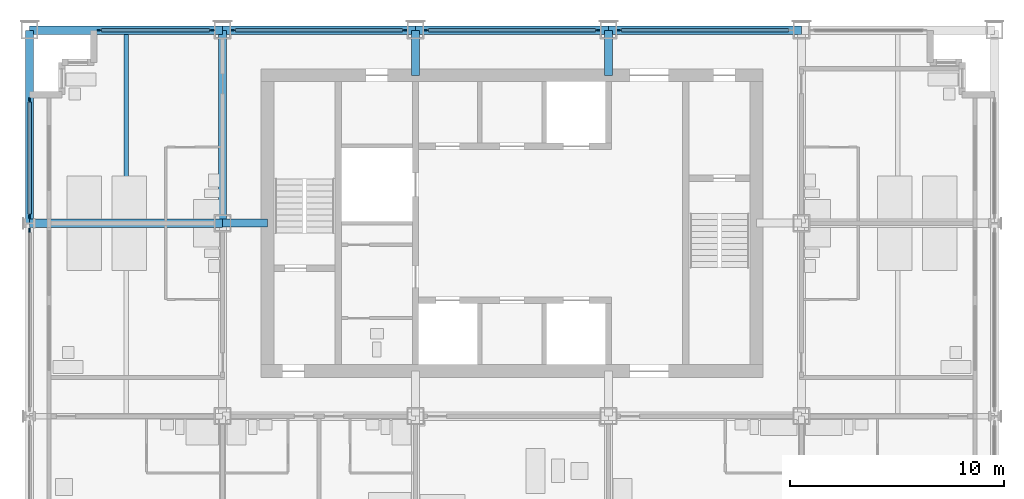
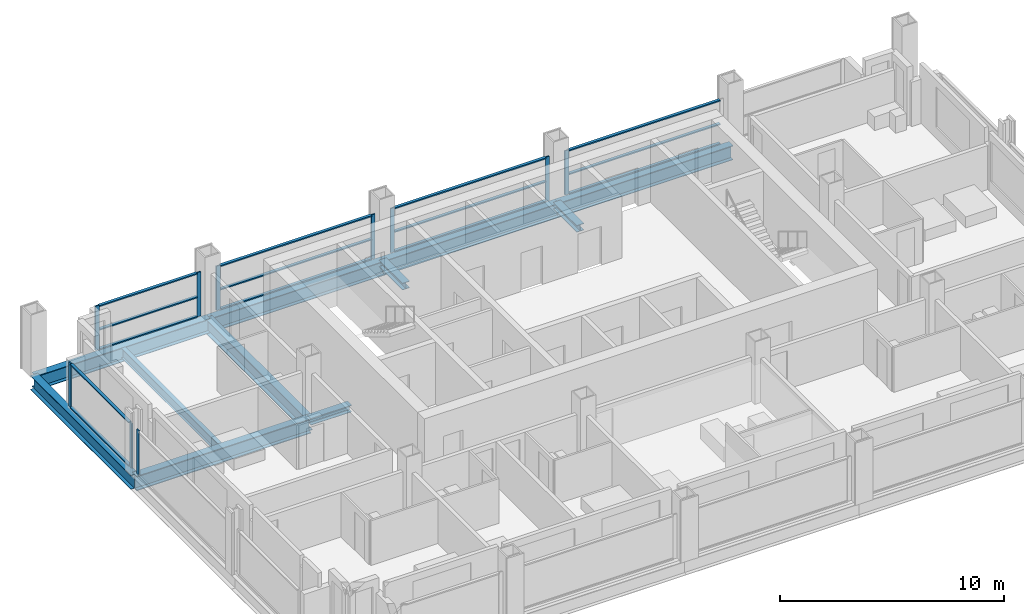
# One storey, part 4 of 13: 27 members, 8 beams, 6 elements without a shape of their own.
"""IFC4 building model written with IfcOpenShell, lengths in metres."""

from ifc_helpers import new_model, si_unit, direction, frame, origin, origin_2d, place, context, subcontext, project, spatial, rectangle, i_section, extrude, material, material_profile, profile_set, type_object, element, aggregate, save


model = new_model("IFC4")

# Units and contexts
model_context = context("Model", 3, precision=1e-05, world=origin(), true_north=direction((0.0, 1.0)))
body_context = subcontext(model_context, "Body", "Model", "MODEL_VIEW")
ifc_project = project(units=[si_unit("LENGTHUNIT", "METRE"), si_unit("AREAUNIT", "SQUARE_METRE"), si_unit("VOLUMEUNIT", "CUBIC_METRE"), si_unit("PLANEANGLEUNIT", "RADIAN"), si_unit("MASSUNIT", "GRAM", prefix="KILO")], contexts=[model_context])

# Site, building, storey
site_placement = place(None, origin())
site = spatial("IfcSite", under=ifc_project, at=site_placement, CompositionType="ELEMENT")
building_placement = place(site_placement, origin())
building = spatial("IfcBuilding", under=site, at=building_placement, Name="Loomwork Tower", CompositionType="ELEMENT")
storey_placement = place(building_placement, frame((0.0, 0.0, 187.60009765625)))
storey = spatial("IfcBuildingStorey", under=building, at=storey_placement, Name="L51", CompositionType="ELEMENT", Elevation=187.60009765625)

# Beams
ifc_material_1 = material(Name="Steel ASTM A992", Category="steel")
ifc_material_profile_1 = material_profile(ifc_material_1, i_section(OverallWidth=0.383544921875, OverallDepth=0.794921875, WebThickness=0.02099609375, FlangeThickness=0.0380859375, at=origin_2d()), Name="W30x235")
ifc_profile_set_1 = profile_set([ifc_material_profile_1], Name="Steel ASTM A992")
beam_type_1 = type_object("IfcBeamType", Name="CORE FLANK GIRDER W30x235", PredefinedType="BEAM", material=ifc_profile_set_1)
for number, where, z_axis, x_axis, name in (
    (1, (0.0, 18.0, -0.59765625), (1.0, 0.0, 0.0), (0.0, 1.0, 0.0), "Core Flank Girder F/2-F/3 L51"),
    (2, (9.0, 18.0, -0.59765625), (0.0, 1.0, 0.0), (-1.0, 0.0, 0.0), "Core Flank Girder F/3-G/3 L51"),
):
    element("IfcBeam", number, at=place(storey_placement, frame(where, z_axis=z_axis, x_axis=x_axis)), inside=storey, type_object=beam_type_1, Name=name, PredefinedType="BEAM", context=body_context, shape_type="SweptSolid", body=[
        extrude(i_section(OverallWidth=0.383544921875, OverallDepth=0.794921875, WebThickness=0.02099609375, FlangeThickness=0.0380859375, at=origin_2d()), origin(), (0.0, 0.0, 1.0), 9.0),
    ])

# Members
ifc_material_2 = material(Name="Steel ASTM A992", Category="steel")
ifc_material_profile_2 = material_profile(ifc_material_2, i_section(OverallWidth=0.373291015625, OverallDepth=0.373291015625, WebThickness=0.016357421875, FlangeThickness=0.026123046875, at=origin_2d()), Name="W14x132")
ifc_profile_set_2 = profile_set([ifc_material_profile_2], Name="Steel ASTM A992")
member_type_1 = type_object("IfcMemberType", Name="CORE LINK STRUT W14x132", PredefinedType="STRUT", material=ifc_profile_set_2)
for number, where, z_axis, x_axis, name in (
    (3, (27.0, 27.0, -0.38671875), (0.0, -1.0, 0.0), (1.0, 0.0, 0.0), "Core link strut G/5-27.000,24.900 L51"),
    (4, (18.0, 27.0, -0.38671875), (0.0, -1.0, 0.0), (1.0, 0.0, 0.0), "Core link strut G/4-18.000,24.900 L51"),
    (5, (9.0, 18.0, -0.38671875), (1.0, 0.0, 0.0), (0.0, 1.0, 0.0), "Core link strut F/3-11.100,18.000 L51"),
):
    element("IfcMember", number, at=place(storey_placement, frame(where, z_axis=z_axis, x_axis=x_axis)), inside=storey, type_object=member_type_1, Name=name, PredefinedType="STRUT", context=body_context, shape_type="SweptSolid", body=[
        extrude(i_section(OverallWidth=0.373291015625, OverallDepth=0.373291015625, WebThickness=0.016357421875, FlangeThickness=0.026123046875, at=origin_2d()), origin(), (0.0, 0.0, 1.0), 2.10009765625),
    ])

# Beam
ifc_material_3 = material(Name="Steel ASTM A992", Category="steel")
ifc_material_profile_3 = material_profile(ifc_material_3, i_section(OverallWidth=0.2109375, OverallDepth=0.53857421875, WebThickness=0.011474609375, FlangeThickness=0.018798828125, at=origin_2d()), Name="W21x73")
ifc_profile_set_3 = profile_set([ifc_material_profile_3], Name="Steel ASTM A992")
beam_type_2 = type_object("IfcBeamType", Name="FLOOR JOIST W21x73", PredefinedType="JOIST", material=ifc_profile_set_3)
beam_placement = place(storey_placement, frame((4.5, 18.19091796875, -0.46923828125), z_axis=(0.0, 1.0, 0.0), x_axis=(-1.0, 0.0, 0.0)))
element("IfcBeam", 6, at=beam_placement, inside=storey, type_object=beam_type_2, Name="Floor Joist 4.500,18.000-4.500,27.000 L51", PredefinedType="JOIST", context=body_context, shape_type="SweptSolid", body=[
    extrude(i_section(OverallWidth=0.2109375, OverallDepth=0.53857421875, WebThickness=0.011474609375, FlangeThickness=0.018798828125, at=origin_2d()), origin(), (0.0, 0.0, 1.0), 8.619140625),
])

# Curtain wall, member
ifc_material_4 = material(Name="Aluminium curtain wall frame", Category="aluminium")
curtain_wall_type_1 = type_object("IfcCurtainWallType", Name="Outer skin glazing hotel", PredefinedType="NOTDEFINED", material=ifc_material_4)
curtain_wall_1_placement = place(storey_placement, origin())
curtain_wall_1 = element("IfcCurtainWall", 7, at=curtain_wall_1_placement, inside=storey, type_object=curtain_wall_type_1, Name="Outer skin glazing hotel cw/W-9", PredefinedType="NOTDEFINED")
ifc_material_5 = material(Name="Aluminium curtain wall frame", Category="aluminium")
ifc_material_profile_4 = material_profile(ifc_material_5, rectangle(XDim=0.06494140625, YDim=0.199951171875, at=origin_2d()), Name="AL 65x200")
ifc_profile_set_4 = profile_set([ifc_material_profile_4], Name="Aluminium curtain wall frame")
member_type_2 = type_object("IfcMemberType", Name="Outer skin glazing hotel mullion", PredefinedType="MULLION", material=ifc_profile_set_4)
member_1_placement = place(storey_placement, frame((0.0, 17.67529296875, 0.0), z_axis=(0.0, 0.0, 1.0), x_axis=(1.0, 0.0, 0.0)))
member_1 = element("IfcMember", 8, at=member_1_placement, type_object=member_type_2, Name="CW1 mullion 1", PredefinedType="MULLION", context=body_context, shape_type="SweptSolid", body=[
    extrude(rectangle(XDim=0.06494140625, YDim=0.199951171875, at=origin_2d()), origin(), (0.0, 0.0, 1.0), 2.420166015625),
])
aggregate(curtain_wall_1, [member_1])

# Curtain wall, members
curtain_wall_2_placement = place(storey_placement, origin())
curtain_wall_2 = element("IfcCurtainWall", 9, at=curtain_wall_2_placement, inside=storey, type_object=curtain_wall_type_1, Name="Outer skin glazing hotel cw/W-18", PredefinedType="NOTDEFINED")
member_2_placement = place(storey_placement, frame((0.0, 23.75, 0.0), z_axis=(0.0, 0.0, 1.0), x_axis=(1.0, 0.0, 0.0)))
member_2 = element("IfcMember", 10, at=member_2_placement, type_object=member_type_2, Name="CW1 mullion 1", PredefinedType="MULLION", context=body_context, shape_type="SweptSolid", body=[
    extrude(rectangle(XDim=0.06494140625, YDim=0.199951171875, at=origin_2d()), origin(), (0.0, 0.0, 1.0), 2.420166015625),
])
member_3_placement = place(storey_placement, frame((0.0, 18.32470703125, 0.0), z_axis=(0.0, 0.0, 1.0), x_axis=(1.0, 0.0, 0.0)))
member_3 = element("IfcMember", 11, at=member_3_placement, type_object=member_type_2, Name="CW1 mullion 2", PredefinedType="MULLION", context=body_context, shape_type="SweptSolid", body=[
    extrude(rectangle(XDim=0.06494140625, YDim=0.199951171875, at=origin_2d()), origin(), (0.0, 0.0, 1.0), 2.420166015625),
])
ifc_material_6 = material(Name="Aluminium curtain wall frame", Category="aluminium")
ifc_material_profile_5 = material_profile(ifc_material_6, rectangle(XDim=0.14990234375, YDim=0.06494140625, at=origin_2d()), Name="AL 65x150")
ifc_profile_set_5 = profile_set([ifc_material_profile_5], Name="Aluminium curtain wall frame")
member_type_3 = type_object("IfcMemberType", Name="Outer skin glazing hotel transom", PredefinedType="USERDEFINED", material=ifc_profile_set_5)
member_4_placement = place(storey_placement, frame((0.0, 23.64990234375, 0.032470703125), z_axis=(0.0, -1.0, 0.0), x_axis=(1.0, 0.0, 0.0)))
member_4 = element("IfcMember", 12, at=member_4_placement, type_object=member_type_3, Name="CW1 transom 1.1", ObjectType="TRANSOM", PredefinedType="USERDEFINED", context=body_context, shape_type="SweptSolid", body=[
    extrude(rectangle(XDim=0.14990234375, YDim=0.06494140625, at=origin_2d()), origin(), (0.0, 0.0, 1.0), 5.22509765625),
])
member_5_placement = place(storey_placement, frame((0.0, 23.64990234375, 2.3876953125), z_axis=(0.0, -1.0, 0.0), x_axis=(1.0, 0.0, 0.0)))
member_5 = element("IfcMember", 13, at=member_5_placement, type_object=member_type_3, Name="CW1 transom 1.2", ObjectType="TRANSOM", PredefinedType="USERDEFINED", context=body_context, shape_type="SweptSolid", body=[
    extrude(rectangle(XDim=0.14990234375, YDim=0.06494140625, at=origin_2d()), origin(), (0.0, 0.0, 1.0), 5.22509765625),
])
aggregate(curtain_wall_2, [member_2, member_3, member_4, member_5])

# Beams
ifc_material_7 = material(Name="Steel ASTM A992", Category="steel")
ifc_material_profile_6 = material_profile(ifc_material_7, i_section(OverallWidth=0.381103515625, OverallDepth=0.77978515625, WebThickness=0.01806640625, FlangeThickness=0.0302734375, at=origin_2d()), Name="W30x191")
ifc_profile_set_6 = profile_set([ifc_material_profile_6], Name="Steel ASTM A992")
beam_type_3 = type_object("IfcBeamType", Name="SPANDREL GIRDER W30x191", PredefinedType="SPANDREL", material=ifc_profile_set_6)
for number, where, z_axis, x_axis, name in (
    (14, (0.0, 27.0, -0.590087890625), (1.0, 0.0, 0.0), (0.0, 1.0, 0.0), "Spandrel Girder G/2-G/3 L51"),
    (15, (9.0, 27.0, -0.590087890625), (1.0, 0.0, 0.0), (0.0, 1.0, 0.0), "Spandrel Girder G/3-G/4 L51"),
    (16, (18.0, 27.0, -0.590087890625), (1.0, 0.0, 0.0), (0.0, 1.0, 0.0), "Spandrel Girder G/4-G/5 L51"),
    (17, (27.0, 27.0, -0.590087890625), (1.0, 0.0, 0.0), (0.0, 1.0, 0.0), "Spandrel Girder G/5-G/6 L51"),
    (18, (0.0, 18.0, -0.590087890625), (0.0, 1.0, 0.0), (-1.0, 0.0, 0.0), "Spandrel Girder F/2-G/2 L51"),
):
    element("IfcBeam", number, at=place(storey_placement, frame(where, z_axis=z_axis, x_axis=x_axis)), inside=storey, type_object=beam_type_3, Name=name, PredefinedType="SPANDREL", context=body_context, shape_type="SweptSolid", body=[
        extrude(i_section(OverallWidth=0.381103515625, OverallDepth=0.77978515625, WebThickness=0.01806640625, FlangeThickness=0.0302734375, at=origin_2d()), origin(), (0.0, 0.0, 1.0), 9.0),
    ])

# Curtain wall, members
ifc_material_8 = material(Name="Aluminium curtain wall frame", Category="aluminium")
curtain_wall_type_2 = type_object("IfcCurtainWallType", Name="Single skin glazing corridor", PredefinedType="NOTDEFINED", material=ifc_material_8)
curtain_wall_3_placement = place(storey_placement, origin())
curtain_wall_3 = element("IfcCurtainWall", 19, at=curtain_wall_3_placement, inside=storey, type_object=curtain_wall_type_2, Name="Single skin glazing corridor cw/N-0", PredefinedType="NOTDEFINED")
ifc_material_9 = material(Name="Aluminium curtain wall frame", Category="aluminium")
ifc_material_profile_7 = material_profile(ifc_material_9, rectangle(XDim=0.06494140625, YDim=0.199951171875, at=origin_2d()), Name="AL 65x200")
ifc_profile_set_7 = profile_set([ifc_material_profile_7], Name="Aluminium curtain wall frame")
member_type_4 = type_object("IfcMemberType", Name="Single skin glazing corridor mullion", PredefinedType="MULLION", material=ifc_profile_set_7)
member_6_placement = place(storey_placement, frame((8.5, 27.0, 0.0), z_axis=(0.0, 0.0, 1.0), x_axis=(0.0, -1.0, 0.0)))
member_6 = element("IfcMember", 20, at=member_6_placement, type_object=member_type_4, Name="CW3 mullion 1", PredefinedType="MULLION", context=body_context, shape_type="SweptSolid", body=[
    extrude(rectangle(XDim=0.06494140625, YDim=0.199951171875, at=origin_2d()), origin(), (0.0, 0.0, 1.0), 2.420166015625),
])
member_7_placement = place(storey_placement, frame((3.25, 27.0, 0.0), z_axis=(0.0, 0.0, 1.0), x_axis=(0.0, -1.0, 0.0)))
member_7 = element("IfcMember", 21, at=member_7_placement, type_object=member_type_4, Name="CW3 mullion 2", PredefinedType="MULLION", context=body_context, shape_type="SweptSolid", body=[
    extrude(rectangle(XDim=0.06494140625, YDim=0.199951171875, at=origin_2d()), origin(), (0.0, 0.0, 1.0), 2.420166015625),
])

curtain_wall_4_placement = place(storey_placement, origin())
curtain_wall_4 = element("IfcCurtainWall", 22, at=curtain_wall_4_placement, inside=storey, type_object=curtain_wall_type_2, Name="Single skin glazing corridor cw/N-9", PredefinedType="NOTDEFINED")
member_8_placement = place(storey_placement, frame((17.5, 27.0, 0.0), z_axis=(0.0, 0.0, 1.0), x_axis=(0.0, -1.0, 0.0)))
member_8 = element("IfcMember", 23, at=member_8_placement, type_object=member_type_4, Name="CW3 mullion 1", PredefinedType="MULLION", context=body_context, shape_type="SweptSolid", body=[
    extrude(rectangle(XDim=0.06494140625, YDim=0.199951171875, at=origin_2d()), origin(), (0.0, 0.0, 1.0), 2.420166015625),
])
member_9_placement = place(storey_placement, frame((9.5, 27.0, 0.0), z_axis=(0.0, 0.0, 1.0), x_axis=(0.0, -1.0, 0.0)))
member_9 = element("IfcMember", 24, at=member_9_placement, type_object=member_type_4, Name="CW3 mullion 2", PredefinedType="MULLION", context=body_context, shape_type="SweptSolid", body=[
    extrude(rectangle(XDim=0.06494140625, YDim=0.199951171875, at=origin_2d()), origin(), (0.0, 0.0, 1.0), 2.420166015625),
])

curtain_wall_5_placement = place(storey_placement, origin())
curtain_wall_5 = element("IfcCurtainWall", 25, at=curtain_wall_5_placement, inside=storey, type_object=curtain_wall_type_2, Name="Single skin glazing corridor cw/N-18", PredefinedType="NOTDEFINED")
member_10_placement = place(storey_placement, frame((26.5, 27.0, 0.0), z_axis=(0.0, 0.0, 1.0), x_axis=(0.0, -1.0, 0.0)))
member_10 = element("IfcMember", 26, at=member_10_placement, type_object=member_type_4, Name="CW3 mullion 1", PredefinedType="MULLION", context=body_context, shape_type="SweptSolid", body=[
    extrude(rectangle(XDim=0.06494140625, YDim=0.199951171875, at=origin_2d()), origin(), (0.0, 0.0, 1.0), 2.420166015625),
])
member_11_placement = place(storey_placement, frame((18.5, 27.0, 0.0), z_axis=(0.0, 0.0, 1.0), x_axis=(0.0, -1.0, 0.0)))
member_11 = element("IfcMember", 27, at=member_11_placement, type_object=member_type_4, Name="CW3 mullion 2", PredefinedType="MULLION", context=body_context, shape_type="SweptSolid", body=[
    extrude(rectangle(XDim=0.06494140625, YDim=0.199951171875, at=origin_2d()), origin(), (0.0, 0.0, 1.0), 2.420166015625),
])

# Curtain wall, member
curtain_wall_6_placement = place(storey_placement, origin())
curtain_wall_6 = element("IfcCurtainWall", 28, at=curtain_wall_6_placement, inside=storey, type_object=curtain_wall_type_2, Name="Single skin glazing corridor cw/N-27", PredefinedType="NOTDEFINED")
member_12_placement = place(storey_placement, frame((27.5, 27.0, 0.0), z_axis=(0.0, 0.0, 1.0), x_axis=(0.0, -1.0, 0.0)))
member_12 = element("IfcMember", 29, at=member_12_placement, type_object=member_type_4, Name="CW3 mullion 2", PredefinedType="MULLION", context=body_context, shape_type="SweptSolid", body=[
    extrude(rectangle(XDim=0.06494140625, YDim=0.199951171875, at=origin_2d()), origin(), (0.0, 0.0, 1.0), 2.420166015625),
])

# Member
ifc_material_10 = material(Name="Aluminium curtain wall frame", Category="aluminium")
ifc_material_profile_8 = material_profile(ifc_material_10, rectangle(XDim=0.14990234375, YDim=0.06494140625, at=origin_2d()), Name="AL 65x150")
ifc_profile_set_8 = profile_set([ifc_material_profile_8], Name="Aluminium curtain wall frame")
member_type_5 = type_object("IfcMemberType", Name="Single skin glazing corridor transom", PredefinedType="USERDEFINED", material=ifc_profile_set_8)
member_13_placement = place(storey_placement, frame((8.39990234375, 27.0, 0.032470703125), z_axis=(-1.0, 0.0, 0.0), x_axis=(0.0, -1.0, 0.0)))
member_13 = element("IfcMember", 30, at=member_13_placement, type_object=member_type_5, Name="CW3 transom 1.1", ObjectType="TRANSOM", PredefinedType="USERDEFINED", context=body_context, shape_type="SweptSolid", body=[
    extrude(rectangle(XDim=0.14990234375, YDim=0.06494140625, at=origin_2d()), origin(), (0.0, 0.0, 1.0), 5.0498046875),
])

member_14_placement = place(storey_placement, frame((8.39990234375, 27.0, 1.099853515625), z_axis=(-1.0, 0.0, 0.0), x_axis=(0.0, -1.0, 0.0)))
member_14 = element("IfcMember", 31, at=member_14_placement, type_object=member_type_5, Name="CW3 transom 1.2", ObjectType="TRANSOM", PredefinedType="USERDEFINED", context=body_context, shape_type="SweptSolid", body=[
    extrude(rectangle(XDim=0.14990234375, YDim=0.06494140625, at=origin_2d()), origin(), (0.0, 0.0, 1.0), 5.0498046875),
])

member_15_placement = place(storey_placement, frame((8.39990234375, 27.0, 2.3876953125), z_axis=(-1.0, 0.0, 0.0), x_axis=(0.0, -1.0, 0.0)))
member_15 = element("IfcMember", 32, at=member_15_placement, type_object=member_type_5, Name="CW3 transom 1.3", ObjectType="TRANSOM", PredefinedType="USERDEFINED", context=body_context, shape_type="SweptSolid", body=[
    extrude(rectangle(XDim=0.14990234375, YDim=0.06494140625, at=origin_2d()), origin(), (0.0, 0.0, 1.0), 5.0498046875),
])

aggregate(curtain_wall_3, [member_6, member_7, member_13, member_14, member_15])

member_16_placement = place(storey_placement, frame((17.39990234375, 27.0, 0.032470703125), z_axis=(-1.0, 0.0, 0.0), x_axis=(0.0, -1.0, 0.0)))
member_16 = element("IfcMember", 33, at=member_16_placement, type_object=member_type_5, Name="CW3 transom 1.1", ObjectType="TRANSOM", PredefinedType="USERDEFINED", context=body_context, shape_type="SweptSolid", body=[
    extrude(rectangle(XDim=0.14990234375, YDim=0.06494140625, at=origin_2d()), origin(), (0.0, 0.0, 1.0), 7.7998046875),
])

member_17_placement = place(storey_placement, frame((17.39990234375, 27.0, 1.099853515625), z_axis=(-1.0, 0.0, 0.0), x_axis=(0.0, -1.0, 0.0)))
member_17 = element("IfcMember", 34, at=member_17_placement, type_object=member_type_5, Name="CW3 transom 1.2", ObjectType="TRANSOM", PredefinedType="USERDEFINED", context=body_context, shape_type="SweptSolid", body=[
    extrude(rectangle(XDim=0.14990234375, YDim=0.06494140625, at=origin_2d()), origin(), (0.0, 0.0, 1.0), 7.7998046875),
])

member_18_placement = place(storey_placement, frame((17.39990234375, 27.0, 2.3876953125), z_axis=(-1.0, 0.0, 0.0), x_axis=(0.0, -1.0, 0.0)))
member_18 = element("IfcMember", 35, at=member_18_placement, type_object=member_type_5, Name="CW3 transom 1.3", ObjectType="TRANSOM", PredefinedType="USERDEFINED", context=body_context, shape_type="SweptSolid", body=[
    extrude(rectangle(XDim=0.14990234375, YDim=0.06494140625, at=origin_2d()), origin(), (0.0, 0.0, 1.0), 7.7998046875),
])

aggregate(curtain_wall_4, [member_8, member_9, member_16, member_17, member_18])

member_19_placement = place(storey_placement, frame((26.39990234375, 27.0, 0.032470703125), z_axis=(-1.0, 0.0, 0.0), x_axis=(0.0, -1.0, 0.0)))
member_19 = element("IfcMember", 36, at=member_19_placement, type_object=member_type_5, Name="CW3 transom 1.1", ObjectType="TRANSOM", PredefinedType="USERDEFINED", context=body_context, shape_type="SweptSolid", body=[
    extrude(rectangle(XDim=0.14990234375, YDim=0.06494140625, at=origin_2d()), origin(), (0.0, 0.0, 1.0), 7.7998046875),
])

member_20_placement = place(storey_placement, frame((26.39990234375, 27.0, 1.099853515625), z_axis=(-1.0, 0.0, 0.0), x_axis=(0.0, -1.0, 0.0)))
member_20 = element("IfcMember", 37, at=member_20_placement, type_object=member_type_5, Name="CW3 transom 1.2", ObjectType="TRANSOM", PredefinedType="USERDEFINED", context=body_context, shape_type="SweptSolid", body=[
    extrude(rectangle(XDim=0.14990234375, YDim=0.06494140625, at=origin_2d()), origin(), (0.0, 0.0, 1.0), 7.7998046875),
])

member_21_placement = place(storey_placement, frame((26.39990234375, 27.0, 2.3876953125), z_axis=(-1.0, 0.0, 0.0), x_axis=(0.0, -1.0, 0.0)))
member_21 = element("IfcMember", 38, at=member_21_placement, type_object=member_type_5, Name="CW3 transom 1.3", ObjectType="TRANSOM", PredefinedType="USERDEFINED", context=body_context, shape_type="SweptSolid", body=[
    extrude(rectangle(XDim=0.14990234375, YDim=0.06494140625, at=origin_2d()), origin(), (0.0, 0.0, 1.0), 7.7998046875),
])

aggregate(curtain_wall_5, [member_10, member_11, member_19, member_20, member_21])

member_22_placement = place(storey_placement, frame((35.39990234375, 27.0, 0.032470703125), z_axis=(-1.0, 0.0, 0.0), x_axis=(0.0, -1.0, 0.0)))
member_22 = element("IfcMember", 39, at=member_22_placement, type_object=member_type_5, Name="CW3 transom 1.1", ObjectType="TRANSOM", PredefinedType="USERDEFINED", context=body_context, shape_type="SweptSolid", body=[
    extrude(rectangle(XDim=0.14990234375, YDim=0.06494140625, at=origin_2d()), origin(), (0.0, 0.0, 1.0), 7.7998046875),
])

member_23_placement = place(storey_placement, frame((35.39990234375, 27.0, 1.099853515625), z_axis=(-1.0, 0.0, 0.0), x_axis=(0.0, -1.0, 0.0)))
member_23 = element("IfcMember", 40, at=member_23_placement, type_object=member_type_5, Name="CW3 transom 1.2", ObjectType="TRANSOM", PredefinedType="USERDEFINED", context=body_context, shape_type="SweptSolid", body=[
    extrude(rectangle(XDim=0.14990234375, YDim=0.06494140625, at=origin_2d()), origin(), (0.0, 0.0, 1.0), 7.7998046875),
])

member_24_placement = place(storey_placement, frame((35.39990234375, 27.0, 2.3876953125), z_axis=(-1.0, 0.0, 0.0), x_axis=(0.0, -1.0, 0.0)))
member_24 = element("IfcMember", 41, at=member_24_placement, type_object=member_type_5, Name="CW3 transom 1.3", ObjectType="TRANSOM", PredefinedType="USERDEFINED", context=body_context, shape_type="SweptSolid", body=[
    extrude(rectangle(XDim=0.14990234375, YDim=0.06494140625, at=origin_2d()), origin(), (0.0, 0.0, 1.0), 7.7998046875),
])

aggregate(curtain_wall_6, [member_12, member_22, member_23, member_24])

save(model, "model.ifc")
